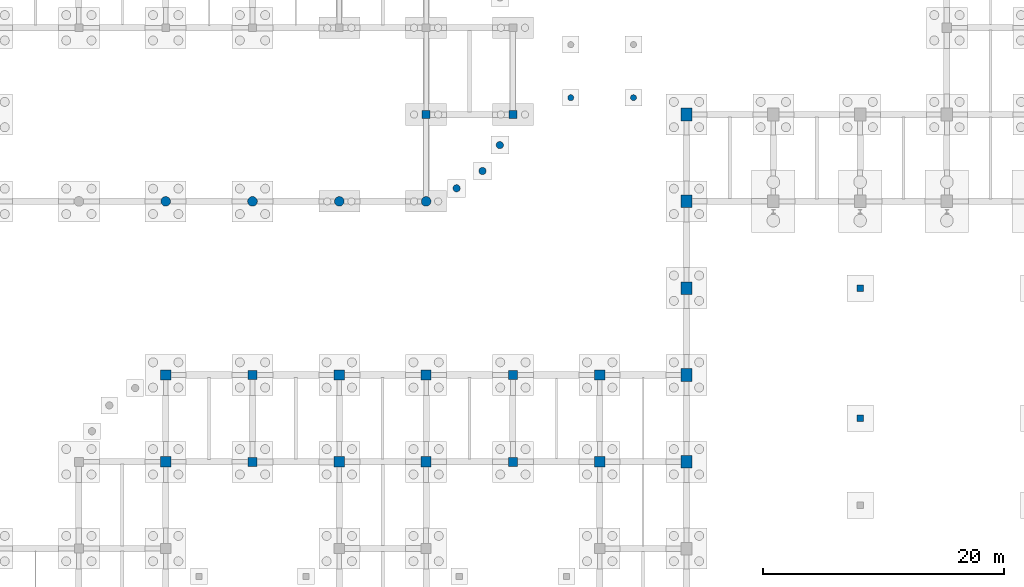
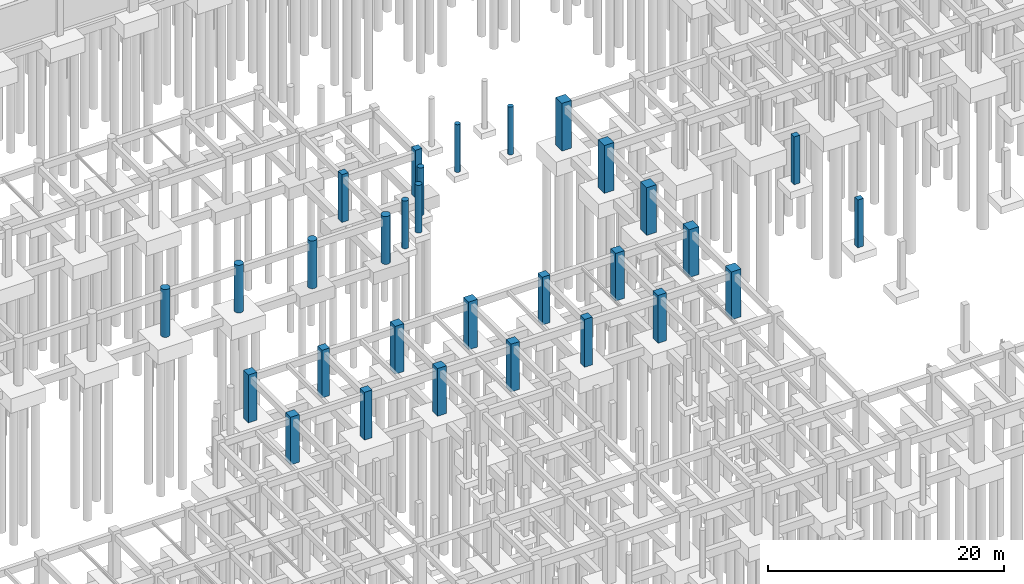
# One storey, part 16 of 47: 30 columns.
"""IFC4 building model written with IfcOpenShell, lengths in metres."""

from ifc_helpers import new_model, si_unit, direction, frame, origin, origin_2d, place, context, subcontext, project, spatial, rectangle, circle, extrude, material, material_profile, profile_set, type_object, element, save


model = new_model("IFC4")

# Units and contexts
model_context = context("Model", 3, precision=1e-05, world=origin(), true_north=direction((0.0, 1.0)))
body_context = subcontext(model_context, "Body", "Model", "MODEL_VIEW")
ifc_project = project(units=[si_unit("LENGTHUNIT", "METRE"), si_unit("AREAUNIT", "SQUARE_METRE"), si_unit("VOLUMEUNIT", "CUBIC_METRE"), si_unit("PLANEANGLEUNIT", "RADIAN"), si_unit("MASSUNIT", "GRAM", prefix="KILO")], contexts=[model_context])

# Site, building, storey
site_placement = place(None, origin())
site = spatial("IfcSite", under=ifc_project, at=site_placement, CompositionType="ELEMENT")
building_placement = place(site_placement, origin())
building = spatial("IfcBuilding", under=site, at=building_placement, Name="Thalmaran Polytechnic", CompositionType="ELEMENT")
storey_placement = place(building_placement, frame((0.0, 0.0, -4.5)))
storey = spatial("IfcBuildingStorey", under=building, at=storey_placement, Name="B1", CompositionType="ELEMENT", Elevation=-4.5)

# Columns
ifc_material_1 = material(Name="Concrete C40/50", Category="concrete")
ifc_material_profile_1 = material_profile(ifc_material_1, circle(Radius=0.25, at=origin_2d()), Name="RC 500 DIA")
ifc_profile_set_1 = profile_set([ifc_material_profile_1], Name="Concrete C40/50")
column_type_1 = type_object("IfcColumnType", Name="COL-AC1", PredefinedType="COLUMN", material=ifc_profile_set_1)
for number, where, z_axis, x_axis, name in (
    (1, (98.39990234375, 59.0, -0.449951171875), (0.0, 0.0, 1.0), (1.0, 0.0, 0.0), "Court Canopy Foundation Pier 0-59"),
    (2, (103.60009765625, 59.0, -0.449951171875), (0.0, 0.0, 1.0), (1.0, 0.0, 0.0), "Court Canopy Foundation Pier 1-59"),
):
    element("IfcColumn", number, at=place(storey_placement, frame(where, z_axis=z_axis, x_axis=x_axis)), inside=storey, type_object=column_type_1, Name=name, PredefinedType="COLUMN", context=body_context, shape_type="SweptSolid", body=[
        extrude(circle(Radius=0.25, at=origin_2d()), origin(), (0.0, 0.0, 1.0), 4.949951171875),
    ])
ifc_material_2 = material(Name="Concrete C50/60", Category="concrete")
ifc_material_profile_2 = material_profile(ifc_material_2, rectangle(XDim=0.85009765625, YDim=0.85009765625, at=origin_2d()), Name="RC 850x850")
ifc_profile_set_2 = profile_set([ifc_material_profile_2], Name="Concrete C50/60")
column_type_2 = type_object("IfcColumnType", Name="COL-C02", PredefinedType="COLUMN", material=ifc_profile_set_2)
for number, where, z_axis, x_axis, name in (
    (3, (64.800048828125, 28.800048828125, -0.449951171875), (0.0, 0.0, 1.0), (1.0, 0.0, 0.0), "Column C02 B1 (9,4)"),
    (4, (64.800048828125, 36.0, -0.449951171875), (0.0, 0.0, 1.0), (1.0, 0.0, 0.0), "Column C02 B1 (9,5)"),
    (5, (79.199951171875, 28.800048828125, -0.449951171875), (0.0, 0.0, 1.0), (1.0, 0.0, 0.0), "Column C02 B1 (11,4)"),
    (6, (79.199951171875, 36.0, -0.449951171875), (0.0, 0.0, 1.0), (1.0, 0.0, 0.0), "Column C02 B1 (11,5)"),
    (7, (86.39990234375, 28.800048828125, -0.449951171875), (0.0, 0.0, 1.0), (1.0, 0.0, 0.0), "Column C02 B1 (12,4)"),
    (8, (86.39990234375, 36.0, -0.449951171875), (0.0, 0.0, 1.0), (1.0, 0.0, 0.0), "Column C02 B1 (12,5)"),
    (9, (100.800048828125, 28.800048828125, -0.449951171875), (0.0, 0.0, 1.0), (1.0, 0.0, 0.0), "Column C02 B1 (14,4)"),
    (10, (100.800048828125, 36.0, -0.449951171875), (0.0, 0.0, 1.0), (1.0, 0.0, 0.0), "Column C02 B1 (14,5)"),
):
    element("IfcColumn", number, at=place(storey_placement, frame(where, z_axis=z_axis, x_axis=x_axis)), inside=storey, type_object=column_type_2, Name=name, PredefinedType="COLUMN", context=body_context, shape_type="SweptSolid", body=[
        extrude(rectangle(XDim=0.85009765625, YDim=0.85009765625, at=origin_2d()), origin(), (0.0, 0.0, 1.0), 4.949951171875),
    ])
ifc_material_profile_3 = material_profile(ifc_material_2, rectangle(XDim=0.75, YDim=0.75, at=origin_2d()), Name="RC 750x750")
ifc_profile_set_3 = profile_set([ifc_material_profile_3], Name="Concrete C50/60")
column_type_3 = type_object("IfcColumnType", Name="COL-C04", PredefinedType="COLUMN", material=ifc_profile_set_3)
for number, where, z_axis, x_axis, name in (
    (11, (72.0, 28.800048828125, -0.449951171875), (0.0, 0.0, 1.0), (1.0, 0.0, 0.0), "Column C04 B1 (10,4)"),
    (12, (72.0, 36.0, -0.449951171875), (0.0, 0.0, 1.0), (1.0, 0.0, 0.0), "Column C04 B1 (10,5)"),
    (13, (93.60009765625, 28.800048828125, -0.449951171875), (0.0, 0.0, 1.0), (1.0, 0.0, 0.0), "Column C04 B1 (13,4)"),
    (14, (93.60009765625, 36.0, -0.449951171875), (0.0, 0.0, 1.0), (1.0, 0.0, 0.0), "Column C04 B1 (13,5)"),
):
    element("IfcColumn", number, at=place(storey_placement, frame(where, z_axis=z_axis, x_axis=x_axis)), inside=storey, type_object=column_type_3, Name=name, PredefinedType="COLUMN", context=body_context, shape_type="SweptSolid", body=[
        extrude(rectangle(XDim=0.75, YDim=0.75, at=origin_2d()), origin(), (0.0, 0.0, 1.0), 4.949951171875),
    ])
ifc_material_profile_4 = material_profile(ifc_material_1, rectangle(XDim=0.64990234375, YDim=0.64990234375, at=origin_2d()), Name="RC 650x650")
ifc_profile_set_4 = profile_set([ifc_material_profile_4], Name="Concrete C40/50")
column_type_4 = type_object("IfcColumnType", Name="COL-C06", PredefinedType="COLUMN", material=ifc_profile_set_4)
for number, where, z_axis, x_axis, name in (
    (15, (86.39990234375, 57.60009765625, -0.449951171875), (0.0, 0.0, 1.0), (1.0, 0.0, 0.0), "Column C06 B1 (12,8)"),
    (16, (93.60009765625, 57.60009765625, -0.449951171875), (0.0, 0.0, 1.0), (1.0, 0.0, 0.0), "Column C06 B1 (13,8)"),
):
    element("IfcColumn", number, at=place(storey_placement, frame(where, z_axis=z_axis, x_axis=x_axis)), inside=storey, type_object=column_type_4, Name=name, PredefinedType="COLUMN", context=body_context, shape_type="SweptSolid", body=[
        extrude(rectangle(XDim=0.64990234375, YDim=0.64990234375, at=origin_2d()), origin(), (0.0, 0.0, 1.0), 4.949951171875),
    ])
ifc_material_profile_5 = material_profile(ifc_material_1, rectangle(XDim=0.550048828125, YDim=0.550048828125, at=origin_2d()), Name="RC 550x550")
ifc_profile_set_5 = profile_set([ifc_material_profile_5], Name="Concrete C40/50")
column_type_5 = type_object("IfcColumnType", Name="COL-C08", PredefinedType="COLUMN", material=ifc_profile_set_5)
for number, where, z_axis, x_axis, name in (
    (17, (122.39990234375, 32.39990234375, -0.449951171875), (0.0, 0.0, 1.0), (1.0, 0.0, 0.0), "POD3 Foundation Pedestal"),
    (18, (122.39990234375, 43.199951171875, -0.449951171875), (0.0, 0.0, 1.0), (1.0, 0.0, 0.0), "POD3 Foundation Pedestal"),
):
    element("IfcColumn", number, at=place(storey_placement, frame(where, z_axis=z_axis, x_axis=x_axis)), inside=storey, type_object=column_type_5, Name=name, PredefinedType="COLUMN", context=body_context, shape_type="SweptSolid", body=[
        extrude(rectangle(XDim=0.550048828125, YDim=0.550048828125, at=origin_2d()), origin(), (0.0, 0.0, 1.0), 4.949951171875),
    ])
ifc_material_profile_6 = material_profile(ifc_material_2, circle(Radius=0.39990234375, at=origin_2d()), Name="RC 800 DIA")
ifc_profile_set_6 = profile_set([ifc_material_profile_6], Name="Concrete C50/60")
column_type_6 = type_object("IfcColumnType", Name="COL-C14", PredefinedType="COLUMN", material=ifc_profile_set_6)
for number, where, z_axis, x_axis, name in (
    (19, (64.800048828125, 50.39990234375, -0.449951171875), (0.0, 0.0, 1.0), (1.0, 0.0, 0.0), "Column C14 B1 (9,7)"),
    (20, (72.0, 50.39990234375, -0.449951171875), (0.0, 0.0, 1.0), (1.0, 0.0, 0.0), "Column C14 B1 (10,7)"),
    (21, (79.199951171875, 50.39990234375, -0.449951171875), (0.0, 0.0, 1.0), (1.0, 0.0, 0.0), "Column C14 B1 (11,7)"),
    (22, (86.39990234375, 50.39990234375, -0.449951171875), (0.0, 0.0, 1.0), (1.0, 0.0, 0.0), "Column C14 B1 (12,7)"),
):
    element("IfcColumn", number, at=place(storey_placement, frame(where, z_axis=z_axis, x_axis=x_axis)), inside=storey, type_object=column_type_6, Name=name, PredefinedType="COLUMN", context=body_context, shape_type="SweptSolid", body=[
        extrude(circle(Radius=0.39990234375, at=origin_2d()), origin(), (0.0, 0.0, 1.0), 4.949951171875),
    ])
ifc_material_profile_7 = material_profile(ifc_material_1, circle(Radius=0.300048828125, at=origin_2d()), Name="RC 600 DIA")
ifc_profile_set_7 = profile_set([ifc_material_profile_7], Name="Concrete C40/50")
column_type_7 = type_object("IfcColumnType", Name="COL-C16", PredefinedType="COLUMN", material=ifc_profile_set_7)
for number, where, z_axis, x_axis, name in (
    (23, (88.933349609375, 51.48388671875, -0.449951171875), (0.0, 0.0, 1.0), (1.0, 0.0, 0.0), "Refectory Drum Column V6SE1 B1"),
    (24, (91.0810546875, 52.9189453125, -0.449951171875), (0.0, 0.0, 1.0), (1.0, 0.0, 0.0), "Refectory Drum Column V6SE2 B1"),
    (25, (92.51611328125, 55.066650390625, -0.449951171875), (0.0, 0.0, 1.0), (1.0, 0.0, 0.0), "Refectory Drum Column V6SE3 B1"),
):
    element("IfcColumn", number, at=place(storey_placement, frame(where, z_axis=z_axis, x_axis=x_axis)), inside=storey, type_object=column_type_7, Name=name, PredefinedType="COLUMN", context=body_context, shape_type="SweptSolid", body=[
        extrude(circle(Radius=0.300048828125, at=origin_2d()), origin(), (0.0, 0.0, 1.0), 4.949951171875),
    ])
ifc_material_profile_8 = material_profile(ifc_material_2, rectangle(XDim=0.949951171875, YDim=1.050048828125, at=origin_2d()), Name="RC 950x1050")
ifc_profile_set_8 = profile_set([ifc_material_profile_8], Name="Concrete C50/60")
column_type_8 = type_object("IfcColumnType", Name="COL-WP2", PredefinedType="COLUMN", material=ifc_profile_set_8)
for number, where, z_axis, x_axis, name in (
    (26, (108.0, 28.800048828125, -0.449951171875), (0.0, 0.0, 1.0), (1.0, 0.0, 0.0), "Column WP2 B1 (15,4)"),
    (27, (108.0, 36.0, -0.449951171875), (0.0, 0.0, 1.0), (1.0, 0.0, 0.0), "Column WP2 B1 (15,5)"),
    (28, (108.0, 43.199951171875, -0.449951171875), (0.0, 0.0, 1.0), (1.0, 0.0, 0.0), "Column WP2 B1 (15,6)"),
    (29, (108.0, 50.39990234375, -0.449951171875), (0.0, 0.0, 1.0), (1.0, 0.0, 0.0), "Column WP2 B1 (15,7)"),
    (30, (108.0, 57.60009765625, -0.449951171875), (0.0, 0.0, 1.0), (1.0, 0.0, 0.0), "Column WP2 B1 (15,8)"),
):
    element("IfcColumn", number, at=place(storey_placement, frame(where, z_axis=z_axis, x_axis=x_axis)), inside=storey, type_object=column_type_8, Name=name, PredefinedType="COLUMN", context=body_context, shape_type="SweptSolid", body=[
        extrude(rectangle(XDim=0.949951171875, YDim=1.050048828125, at=origin_2d()), origin(), (0.0, 0.0, 1.0), 4.949951171875),
    ])

save(model, "model.ifc")
